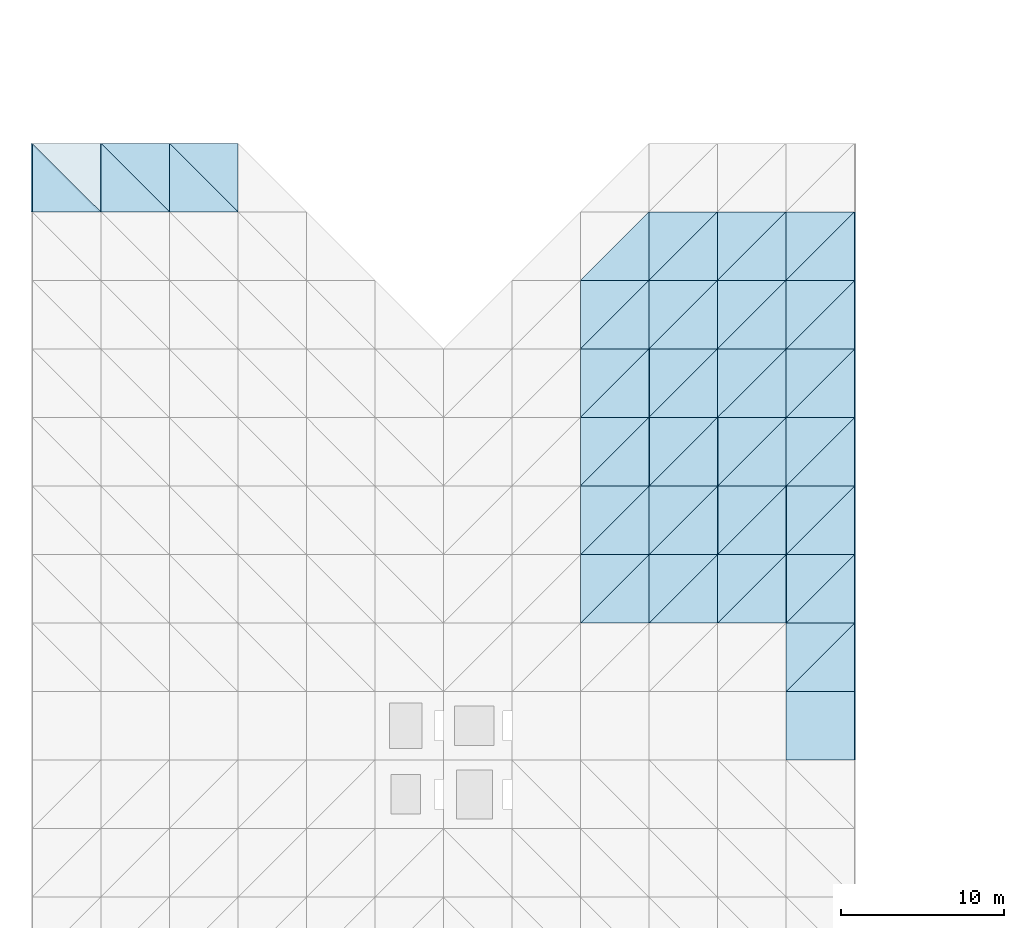
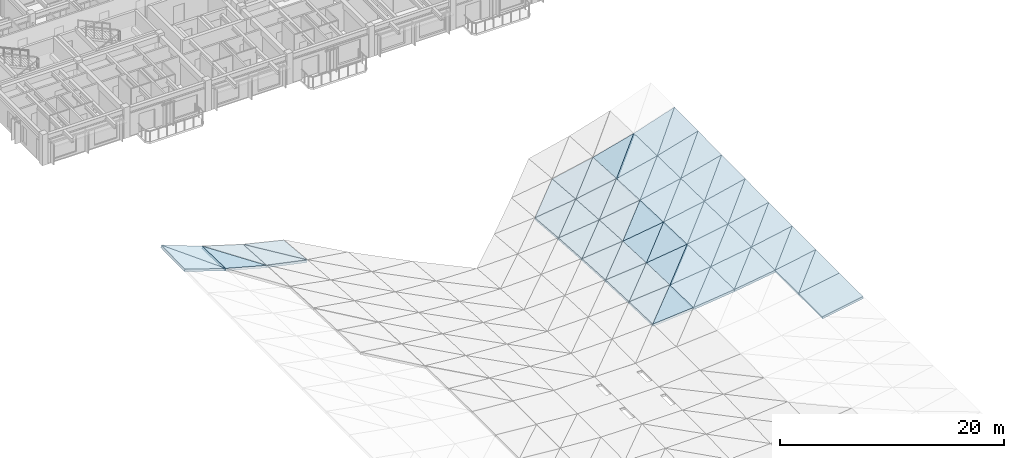
# One storey, part 10 of 31: 56 slabs.
"""IFC4 building model written with IfcOpenShell, lengths in metres."""

from ifc_helpers import new_model, si_unit, direction, frame, origin, place, context, subcontext, project, spatial, polyline, outline, extrude, material, layer, layer_set, type_object, element, save


model = new_model("IFC4")

# Units and contexts
model_context = context("Model", 3, precision=1e-05, world=origin(), true_north=direction((0.0, 1.0)))
body_context = subcontext(model_context, "Body", "Model", "MODEL_VIEW")
ifc_project = project(units=[si_unit("LENGTHUNIT", "METRE"), si_unit("AREAUNIT", "SQUARE_METRE"), si_unit("VOLUMEUNIT", "CUBIC_METRE"), si_unit("PLANEANGLEUNIT", "RADIAN"), si_unit("MASSUNIT", "GRAM", prefix="KILO")], contexts=[model_context])

# Site, building, storey
site_placement = place(None, origin())
site = spatial("IfcSite", under=ifc_project, at=site_placement, CompositionType="ELEMENT")
building_placement = place(site_placement, origin())
building = spatial("IfcBuilding", under=site, at=building_placement, Name="Cumbredor Promenade Congress Hotel", CompositionType="ELEMENT")
storey_placement = place(building_placement, frame((0.0, 0.0, 31.919921875)))
storey = spatial("IfcBuildingStorey", under=building, at=storey_placement, Name="L09", CompositionType="ELEMENT", Elevation=31.919921875)

# Slabs
ifc_material = material(Name="Concrete C40/50", Category="concrete")
ifc_layer = layer(ifc_material, 0.25, Name="Concrete C40/50", Category="concrete")
ifc_layer_set = layer_set([ifc_layer], Name="Concrete C40/50")
slab_type = type_object("IfcSlabType", Name="Catenary Space Frame Roof Deck 250mm", PredefinedType="ROOF", material=ifc_layer_set)
slab_1_placement = place(storey_placement, frame((8.39990234375, 67.199951171875, 3.766845703125), z_axis=(0.314517383618, -0.015558508666, 0.949124200624), x_axis=(0.949239097399, 0.0, -0.3145554577)))
element("IfcSlab", 1, at=slab_1_placement, inside=storey, type_object=slab_type, Name="Plenary Congress Hall Sweeping Roof Deck Facet 4.17.1", PredefinedType="ROOF", context=body_context, shape_type="SweptSolid", body=[
    extrude(outline(polyline([(0.0, 0.0), (4.424802269531883, 0.0), (-0.021656406023297235, 4.200459599375223), (0.0, 0.0)])), origin(), (0.0, 0.0, -1.0), 0.25),
])
slab_2_placement = place(storey_placement, frame((12.60009765625, 67.199951171875, 2.375), z_axis=(0.351080162861, 0.025572178575, 0.935996144719), x_axis=(0.0, 0.999626995305, -0.027310625344)))
element("IfcSlab", 2, at=slab_2_placement, inside=storey, type_object=slab_type, Name="Plenary Congress Hall Sweeping Roof Deck Facet 4.17.2", PredefinedType="ROOF", context=body_context, shape_type="SweptSolid", body=[
    extrude(outline(polyline([(0.0, 0.0), (4.201518357946931, 0.0), (4.158492121290412, 4.485732813774016), (0.0, 0.0)])), origin(), (0.0, 0.0, -1.0), 0.25),
])
slab_3_placement = place(storey_placement, frame((12.60009765625, 67.199951171875, 2.375), z_axis=(0.261630515528, 0.026359344544, 0.964808094027), x_axis=(0.965143450384, 0.0, -0.26172145533)))
element("IfcSlab", 3, at=slab_3_placement, inside=storey, type_object=slab_type, Name="Plenary Congress Hall Sweeping Roof Deck Facet 5.17.1", PredefinedType="ROOF", context=body_context, shape_type="SweptSolid", body=[
    extrude(outline(polyline([(0.0, 0.0), (4.351634122577553, -3.469446951953614e-18), (0.03003151464969093, 4.201411027297009), (0.0, 0.0)])), origin(), (0.0, 0.0, -1.0), 0.25),
])
slab_4_placement = place(storey_placement, frame((16.800048828125, 67.199951171875, 1.236083984375), z_axis=(0.292832493061, 0.060130786603, 0.954271145697), x_axis=(0.0, 0.998020619679, -0.062887540065)))
element("IfcSlab", 4, at=slab_4_placement, inside=storey, type_object=slab_type, Name="Plenary Congress Hall Sweeping Roof Deck Facet 5.17.2", PredefinedType="ROOF", context=body_context, shape_type="SweptSolid", body=[
    extrude(outline(polyline([(0.0, 0.0), (4.208280960392899, -2.7755575615628914e-17), (4.12723034418165, 4.392501953011293), (0.0, 0.0)])), origin(), (0.0, 0.0, -1.0), 0.25),
])
slab_5_placement = place(storey_placement, frame((16.800048828125, 67.199951171875, 1.236083984375), z_axis=(0.205963343256, 0.061539212814, 0.976622765719), x_axis=(0.978477306539, 0.0, -0.206354453765)))
element("IfcSlab", 5, at=slab_5_placement, inside=storey, type_object=slab_type, Name="Plenary Congress Hall Sweeping Roof Deck Facet 6.17.1", PredefinedType="ROOF", context=body_context, shape_type="SweptSolid", body=[
    extrude(outline(polyline([(0.0, 0.0), (4.292333755528742, 0.0), (0.05461138376012229, 4.2079265961241745), (0.0, 0.0)])), origin(), (0.0, 0.0, -1.0), 0.25),
])
slab_6_placement = place(storey_placement, frame((21.0, 67.199951171875, 0.350341796875), z_axis=(0.231257969912, 0.087974902339, 0.968906686895), x_axis=(0.0, 0.995903165323, -0.090426131735)))
element("IfcSlab", 6, at=slab_6_placement, inside=storey, type_object=slab_type, Name="Plenary Congress Hall Sweeping Roof Deck Facet 6.17.2", PredefinedType="ROOF", context=body_context, shape_type="SweptSolid", body=[
    extrude(outline(polyline([(0.0, 0.0), (4.217228459671299, 1.3877787807814457e-17), (4.126581561013314, 4.316973680584855), (0.0, 0.0)])), origin(), (0.0, 0.0, -1.0), 0.25),
])
slab_7_placement = place(storey_placement, frame((42.0, 42.0, 1.286376953125), z_axis=(-0.083335710744, 0.022643685129, 0.996264233443), x_axis=(0.99651974221, 0.0, 0.083357083592)))
element("IfcSlab", 7, at=slab_7_placement, inside=storey, type_object=slab_type, Name="Plenary Congress Hall Sweeping Roof Deck Facet 12.11.1", PredefinedType="ROOF", context=body_context, shape_type="SweptSolid", body=[
    extrude(outline(polyline([(0.0, 0.0), (4.214619132942873, 0.0), (4.206661950402676, 4.201028320194727), (0.0, 0.0)])), origin(), (0.0, 0.0, -1.0), 0.25),
])
slab_8_placement = place(storey_placement, frame((42.0, 42.0, 1.286376953125), z_axis=(-0.088210108531, 0.027551188754, 0.995720798593), x_axis=(0.706451639396, 0.706451639396, 0.043036756268)))
element("IfcSlab", 8, at=slab_8_placement, inside=storey, type_object=slab_type, Name="Plenary Congress Hall Sweeping Roof Deck Facet 12.11.2", PredefinedType="ROOF", context=body_context, shape_type="SweptSolid", body=[
    extrude(outline(polyline([(0.0, 0.0), (5.945136139067277, 2.7755575615628914e-17), (2.9620610489602774, 2.979813613359257), (0.0, 0.0)])), origin(), (0.0, 0.0, -1.0), 0.25),
])
slab_9_placement = place(storey_placement, frame((42.0, 46.199951171875, 1.170166015625), z_axis=(-0.088192852342, 0.033911424851, 0.995526009736), x_axis=(0.996098923772, 0.0, 0.088243606338)))
element("IfcSlab", 9, at=slab_9_placement, inside=storey, type_object=slab_type, Name="Plenary Congress Hall Sweeping Roof Deck Facet 12.12.1", PredefinedType="ROOF", context=body_context, shape_type="SweptSolid", body=[
    extrude(outline(polyline([(0.0, 0.0), (4.216399668387478, 0.0), (4.20377497275419, 4.202368196599584), (0.0, 0.0)])), origin(), (0.0, 0.0, -1.0), 0.25),
])
slab_10_placement = place(storey_placement, frame((42.0, 46.199951171875, 1.170166015625), z_axis=(-0.095508545961, 0.041279117322, 0.994572346349), x_axis=(0.706581806393, 0.706581806393, 0.038526636889)))
element("IfcSlab", 10, at=slab_10_placement, inside=storey, type_object=slab_type, Name="Plenary Congress Hall Sweeping Roof Deck Facet 12.12.2", PredefinedType="ROOF", context=body_context, shape_type="SweptSolid", body=[
    extrude(outline(polyline([(0.0, 0.0), (5.944040921910458, -3.191891195797325e-16), (2.9608932608967993, 2.9838041412260994), (0.0, 0.0)])), origin(), (0.0, 0.0, -1.0), 0.25),
])
slab_11_placement = place(storey_placement, frame((42.0, 50.39990234375, 0.995849609375), z_axis=(-0.095492573343, 0.045142472615, 0.994406016475), x_axis=(0.995420789287, 0.0, 0.095590021735)))
element("IfcSlab", 11, at=slab_11_placement, inside=storey, type_object=slab_type, Name="Plenary Congress Hall Sweeping Roof Deck Facet 12.13.1", PredefinedType="ROOF", context=body_context, shape_type="SweptSolid", body=[
    extrude(outline(polyline([(0.0, 0.0), (4.219272107912606, 0.0), (4.201045592537898, 4.204481533556321), (0.0, 0.0)])), origin(), (0.0, 0.0, -1.0), 0.25),
])
slab_12_placement = place(storey_placement, frame((42.0, 50.39990234375, 0.995849609375), z_axis=(-0.105220665991, 0.054944734798, 0.992929850275), x_axis=(0.706633542814, 0.706674618995, 0.035777353705)))
element("IfcSlab", 12, at=slab_12_placement, inside=storey, type_object=slab_type, Name="Plenary Congress Hall Sweeping Roof Deck Facet 12.13.2", PredefinedType="ROOF", context=body_context, shape_type="SweptSolid", body=[
    extrude(outline(polyline([(0.0, 0.0), (5.943605726879787, 4.753142324176451e-16), (2.9598559825353283, 2.9891325085675473), (0.0, 0.0)])), origin(), (0.0, 0.0, -1.0), 0.25),
])
slab_13_placement = place(storey_placement, frame((42.0, 54.60009765625, 0.763427734375), z_axis=(-0.105212196304, 0.056386349857, 0.992849924862), x_axis=(0.994432042203, 0.0, 0.105379853103)))
element("IfcSlab", 13, at=slab_13_placement, inside=storey, type_object=slab_type, Name="Plenary Congress Hall Sweeping Roof Deck Facet 12.14.1", PredefinedType="ROOF", context=body_context, shape_type="SweptSolid", body=[
    extrude(outline(polyline([(0.0, 0.0), (4.223467259332188, 3.469446951953614e-18), (4.198331488706719, 4.2066438405386855), (0.0, 0.0)])), origin(), (0.0, 0.0, -1.0), 0.25),
])
slab_14_placement = place(storey_placement, frame((42.0, 54.60009765625, 0.763427734375), z_axis=(-0.117254845515, 0.068533038391, 0.990734335658), x_axis=(0.706679647611, 0.706679647611, 0.034752716496)))
element("IfcSlab", 14, at=slab_14_placement, inside=storey, type_object=slab_type, Name="Plenary Congress Hall Sweeping Roof Deck Facet 12.14.2", PredefinedType="ROOF", context=body_context, shape_type="SweptSolid", body=[
    extrude(outline(polyline([(0.0, 0.0), (5.94321795748805, 3.0184188481996443e-16), (2.9579233997137746, 2.995777886463936), (0.0, 0.0)])), origin(), (0.0, 0.0, -1.0), 0.25),
])
slab_15_placement = place(storey_placement, frame((42.0, 58.800048828125, 0.472900390625), z_axis=(-0.117263569299, 0.067443830869, 0.990808046492), x_axis=(0.993069192908, 0.0, 0.117531179257)))
element("IfcSlab", 15, at=slab_15_placement, inside=storey, type_object=slab_type, Name="Plenary Congress Hall Sweeping Roof Deck Facet 12.15.1", PredefinedType="ROOF", context=body_context, shape_type="SweptSolid", body=[
    extrude(outline(polyline([(0.0, 0.0), (4.229263380507655, 6.938893903907228e-18), (4.195662547765935, 4.209535979520748), (0.0, 0.0)])), origin(), (0.0, 0.0, -1.0), 0.25),
])
slab_16_placement = place(storey_placement, frame((42.0, 58.800048828125, 0.472900390625), z_axis=(-0.131677216487, 0.082003953399, 0.987894965209), x_axis=(0.706660264874, 0.706660264874, 0.035532240256)))
element("IfcSlab", 16, at=slab_16_placement, inside=storey, type_object=slab_type, Name="Plenary Congress Hall Sweeping Roof Deck Facet 12.15.2", PredefinedType="ROOF", context=body_context, shape_type="SweptSolid", body=[
    extrude(outline(polyline([(0.0, 0.0), (5.943380971938906, 0.0), (2.9555509027186253, 3.0043058342194406), (0.0, 0.0)])), origin(), (0.0, 0.0, -1.0), 0.25),
])
slab_17_placement = place(storey_placement, frame((42.0, 63.0, 0.124267578125), z_axis=(-0.131714249465, 0.078523061063, 0.988172801371), x_axis=(0.99123343534, 0.0, 0.132122203525)))
element("IfcSlab", 17, at=slab_17_placement, inside=storey, type_object=slab_type, Name="Plenary Congress Hall Sweeping Roof Deck Facet 12.16.1", PredefinedType="ROOF", context=body_context, shape_type="SweptSolid", body=[
    extrude(outline(polyline([(0.0, 0.0), (4.237095947469426, -6.938893903907228e-18), (4.19300145229897, 4.212959537625602), (0.0, 0.0)])), origin(), (0.0, 0.0, -1.0), 0.25),
])
slab_18_placement = place(storey_placement, frame((46.199951171875, 42.0, 1.6376953125), z_axis=(-0.116264124238, 0.015702006848, 0.993094205197), x_axis=(0.993216653027, 0.0, 0.116278459524)))
element("IfcSlab", 18, at=slab_18_placement, inside=storey, type_object=slab_type, Name="Plenary Congress Hall Sweeping Roof Deck Facet 13.11.1", PredefinedType="ROOF", context=body_context, shape_type="SweptSolid", body=[
    extrude(outline(polyline([(0.0, 0.0), (4.228635473513123, -8.673617379884035e-19), (4.220913857060335, 4.200469022955961), (0.0, 0.0)])), origin(), (0.0, 0.0, -1.0), 0.25),
])
slab_19_placement = place(storey_placement, frame((46.199951171875, 42.0, 1.6376953125), z_axis=(-0.12301648116, 0.022550137897, 0.992148394467), x_axis=(0.705301075795, 0.705301075795, 0.071419779924)))
element("IfcSlab", 19, at=slab_19_placement, inside=storey, type_object=slab_type, Name="Plenary Congress Hall Sweeping Roof Deck Facet 13.11.2", PredefinedType="ROOF", context=body_context, shape_type="SweptSolid", body=[
    extrude(outline(polyline([(0.0, 0.0), (5.954834489852473, -1.8735013540549517e-16), (2.9554124201546847, 2.985672401759363), (0.0, 0.0)])), origin(), (0.0, 0.0, -1.0), 0.25),
])
slab_20_placement = place(storey_placement, frame((46.199951171875, 46.199951171875, 1.542236328125), z_axis=(-0.123014035395, 0.023414767168, 0.992128668961), x_axis=(0.992400748769, 0.0, 0.123047770571)))
element("IfcSlab", 20, at=slab_20_placement, inside=storey, type_object=slab_type, Name="Plenary Congress Hall Sweeping Roof Deck Facet 13.12.1", PredefinedType="ROOF", context=body_context, shape_type="SweptSolid", body=[
    extrude(outline(polyline([(0.0, 0.0), (4.232112054615011, 0.0), (4.219915425012562, 4.201102959888836), (0.0, 0.0)])), origin(), (0.0, 0.0, -1.0), 0.25),
])
slab_21_placement = place(storey_placement, frame((46.199951171875, 46.199951171875, 1.542236328125), z_axis=(-0.133178350958, 0.033740818704, 0.990517583887), x_axis=(0.705331922538, 0.705331922538, 0.070807895729)))
element("IfcSlab", 21, at=slab_21_placement, inside=storey, type_object=slab_type, Name="Plenary Congress Hall Sweeping Roof Deck Facet 13.12.2", PredefinedType="ROOF", context=body_context, shape_type="SweptSolid", body=[
    extrude(outline(polyline([(0.0, 0.0), (5.954574063175776, -8.326672684688674e-17), (2.9522294034484955, 2.990718875478873), (0.0, 0.0)])), origin(), (0.0, 0.0, -1.0), 0.25),
])
slab_22_placement = place(storey_placement, frame((46.199951171875, 50.39990234375, 1.399169921875), z_axis=(-0.133189316593, 0.031208133833, 0.99059914109), x_axis=(0.991081889584, 0.0, 0.133254223717)))
element("IfcSlab", 22, at=slab_22_placement, inside=storey, type_object=slab_type, Name="Plenary Congress Hall Sweeping Roof Deck Facet 13.13.1", PredefinedType="ROOF", context=body_context, shape_type="SweptSolid", body=[
    extrude(outline(polyline([(0.0, 0.0), (4.23774383934878, 0.0), (4.220111078300256, 4.202242192895666), (0.0, 0.0)])), origin(), (0.0, 0.0, -1.0), 0.25),
])
slab_23_placement = place(storey_placement, frame((46.199951171875, 50.39990234375, 1.399169921875), z_axis=(-0.146592652311, 0.044859798853, 0.988179231079), x_axis=(0.705220304782, 0.705261298813, 0.072600427819)))
element("IfcSlab", 23, at=slab_23_placement, inside=storey, type_object=slab_type, Name="Plenary Congress Hall Sweeping Roof Deck Facet 13.13.2", PredefinedType="ROOF", context=body_context, shape_type="SweptSolid", body=[
    extrude(outline(polyline([(0.0, 0.0), (5.955516515042597, 1.1102230246251565e-16), (2.9483921998654137, 2.997495722707807), (0.0, 0.0)])), origin(), (0.0, 0.0, -1.0), 0.25),
])
slab_24_placement = place(storey_placement, frame((46.199951171875, 54.60009765625, 1.20849609375), z_axis=(-0.146629321046, 0.038898138851, 0.988426414562), x_axis=(0.989175041018, 0.0, 0.14674037695)))
element("IfcSlab", 24, at=slab_24_placement, inside=storey, type_object=slab_type, Name="Plenary Congress Hall Sweeping Roof Deck Facet 13.14.1", PredefinedType="ROOF", context=body_context, shape_type="SweptSolid", body=[
    extrude(outline(polyline([(0.0, 0.0), (4.245913006007242, 3.469446951953614e-18), (4.221659286477114, 4.203132182130179), (0.0, 0.0)])), origin(), (0.0, 0.0, -1.0), 0.25),
])
slab_25_placement = place(storey_placement, frame((46.199951171875, 54.60009765625, 1.20849609375), z_axis=(-0.163296574625, 0.055939955613, 0.984989822324), x_axis=(0.705016090711, 0.705016090711, 0.076841549153)))
element("IfcSlab", 25, at=slab_25_placement, inside=storey, type_object=slab_type, Name="Plenary Congress Hall Sweeping Roof Deck Facet 13.14.2", PredefinedType="ROOF", context=body_context, shape_type="SweptSolid", body=[
    extrude(outline(polyline([(0.0, 0.0), (5.957241582440388, -4.718447854656915e-16), (2.942704495845698, 3.006156093458307), (0.0, 0.0)])), origin(), (0.0, 0.0, -1.0), 0.25),
])
slab_26_placement = place(storey_placement, frame((46.199951171875, 58.800048828125, 0.969970703125), z_axis=(-0.163375209042, 0.046572245775, 0.985464137853), x_axis=(0.98653460261, 0.0, 0.163552676082)))
element("IfcSlab", 26, at=slab_26_placement, inside=storey, type_object=slab_type, Name="Plenary Congress Hall Sweeping Roof Deck Facet 13.15.1", PredefinedType="ROOF", context=body_context, shape_type="SweptSolid", body=[
    extrude(outline(polyline([(0.0, 0.0), (4.257277099824642, -6.938893903907228e-18), (4.2248141296940585, 4.204513387320467), (0.0, 0.0)])), origin(), (0.0, 0.0, -1.0), 0.25),
])
slab_27_placement = place(storey_placement, frame((46.199951171875, 58.800048828125, 0.969970703125), z_axis=(-0.183020093145, 0.066765273855, 0.980839458684), x_axis=(0.704636362905, 0.704636362905, 0.083517615763)))
element("IfcSlab", 27, at=slab_27_placement, inside=storey, type_object=slab_type, Name="Plenary Congress Hall Sweeping Roof Deck Facet 13.15.2", PredefinedType="ROOF", context=body_context, shape_type="SweptSolid", body=[
    extrude(outline(polyline([(0.0, 0.0), (5.960451933756333, -5.551115123125783e-16), (2.9355615778820705, 3.017250470428859), (0.0, 0.0)])), origin(), (0.0, 0.0, -1.0), 0.25),
])
slab_28_placement = place(storey_placement, frame((46.199951171875, 63.0, 0.68408203125), z_axis=(-0.183160259499, 0.054149248058, 0.981590636811), x_axis=(0.983032890363, 0.0, 0.183429377322)))
element("IfcSlab", 28, at=slab_28_placement, inside=storey, type_object=slab_type, Name="Plenary Congress Hall Sweeping Roof Deck Facet 13.16.1", PredefinedType="ROOF", context=body_context, shape_type="SweptSolid", body=[
    extrude(outline(polyline([(0.0, 0.0), (4.272442166532426, 0.0), (4.229943514413703, 4.206122170526154), (0.0, 0.0)])), origin(), (0.0, 0.0, -1.0), 0.25),
])
slab_29_placement = place(storey_placement, frame((46.199951171875, 63.0, 0.68408203125), z_axis=(-0.205733512795, 0.077518663724, 0.975532971502), x_axis=(0.704072781143, 0.704072781143, 0.09253668303)))
element("IfcSlab", 29, at=slab_29_placement, inside=storey, type_object=slab_type, Name="Plenary Congress Hall Sweeping Roof Deck Facet 13.16.2", PredefinedType="ROOF", context=body_context, shape_type="SweptSolid", body=[
    extrude(outline(polyline([(0.0, 0.0), (5.965223034264703, 2.498001805406602e-16), (2.9261880879655005, 3.0312366558920596), (0.0, 0.0)])), origin(), (0.0, 0.0, -1.0), 0.25),
])
slab_30_placement = place(storey_placement, frame((50.39990234375, 42.0, 2.12939453125), z_axis=(-0.148809268192, 0.006725259348, 0.988843047499), x_axis=(0.988865410505, 0.0, 0.148812633562)))
element("IfcSlab", 30, at=slab_30_placement, inside=storey, type_object=slab_type, Name="Plenary Congress Hall Sweeping Roof Deck Facet 14.11.1", PredefinedType="ROOF", context=body_context, shape_type="SweptSolid", body=[
    extrude(outline(polyline([(0.0, 0.0), (4.247489362942476, 8.673617379884035e-19), (4.243238611446694, 4.200046155130708), (0.0, 0.0)])), origin(), (0.0, 0.0, -1.0), 0.25),
])
slab_31_placement = place(storey_placement, frame((50.39990234375, 42.0, 2.12939453125), z_axis=(-0.157487725214, 0.015611935615, 0.987397530822), x_axis=(0.703505284812, 0.703464392852, 0.101084925834)))
element("IfcSlab", 31, at=slab_31_placement, inside=storey, type_object=slab_type, Name="Plenary Congress Hall Sweeping Roof Deck Facet 14.11.2", PredefinedType="ROOF", context=body_context, shape_type="SweptSolid", body=[
    extrude(outline(polyline([(0.0, 0.0), (5.970382032910482, 9.71445146547012e-17), (2.9478034302742935, 2.992399467423485), (0.0, 0.0)])), origin(), (0.0, 0.0, -1.0), 0.25),
])
slab_32_placement = place(storey_placement, frame((50.39990234375, 46.199951171875, 2.06298828125), z_axis=(-0.157498883251, 0.010102556409, 0.987467488138), x_axis=(0.987517883274, 0.0, 0.157506921164)))
element("IfcSlab", 32, at=slab_32_placement, inside=storey, type_object=slab_type, Name="Plenary Congress Hall Sweeping Roof Deck Facet 14.12.1", PredefinedType="ROOF", context=body_context, shape_type="SweptSolid", body=[
    extrude(outline(polyline([(0.0, 0.0), (4.2532853162879265, 0.0), (4.246517440769167, 4.200165515247193), (0.0, 0.0)])), origin(), (0.0, 0.0, -1.0), 0.25),
])
slab_33_placement = place(storey_placement, frame((50.39990234375, 46.199951171875, 2.06298828125), z_axis=(-0.170294332802, 0.02324933361, 0.985118931247), x_axis=(0.703220870419, 0.703179994991, 0.104968100165)))
element("IfcSlab", 33, at=slab_33_placement, inside=storey, type_object=slab_type, Name="Plenary Congress Hall Sweeping Roof Deck Facet 14.12.2", PredefinedType="ROOF", context=body_context, shape_type="SweptSolid", body=[
    extrude(outline(polyline([(0.0, 0.0), (5.972796726009385, 1.942890293094024e-16), (2.942917091102522, 2.9981083756690743), (0.0, 0.0)])), origin(), (0.0, 0.0, -1.0), 0.25),
])
slab_34_placement = place(storey_placement, frame((50.39990234375, 50.39990234375, 1.9638671875), z_axis=(-0.170324947913, 0.013458763537, 0.985296033587), x_axis=(0.985385283144, 0.0, 0.170340376196)))
element("IfcSlab", 34, at=slab_34_placement, inside=storey, type_object=slab_type, Name="Plenary Congress Hall Sweeping Roof Deck Facet 14.13.1", PredefinedType="ROOF", context=body_context, shape_type="SweptSolid", body=[
    extrude(outline(polyline([(0.0, 0.0), (4.2624904028373365, 0.0), (4.252717456449154, 4.200575772340453), (0.0, 0.0)])), origin(), (0.0, 0.0, -1.0), 0.25),
])
slab_35_placement = place(storey_placement, frame((50.39990234375, 50.39990234375, 1.9638671875), z_axis=(-0.187245478524, 0.030931743176, 0.98182603247), x_axis=(0.702668181441, 0.702668181441, 0.11186980638)))
element("IfcSlab", 35, at=slab_35_placement, inside=storey, type_object=slab_type, Name="Plenary Congress Hall Sweeping Roof Deck Facet 14.13.2", PredefinedType="ROOF", context=body_context, shape_type="SweptSolid", body=[
    extrude(outline(polyline([(0.0, 0.0), (5.977494674490388, 6.938893903907228e-16), (2.936540517202201, 3.0059740772076866), (0.0, 0.0)])), origin(), (0.0, 0.0, -1.0), 0.25),
])
slab_36_placement = place(storey_placement, frame((50.39990234375, 54.60009765625, 1.83154296875), z_axis=(-0.187308905961, 0.016728040133, 0.982158615714), x_axis=(0.98229606197, 0.0, 0.187335118538)))
element("IfcSlab", 36, at=slab_36_placement, inside=storey, type_object=slab_type, Name="Plenary Congress Hall Sweeping Roof Deck Facet 14.14.1", PredefinedType="ROOF", context=body_context, shape_type="SweptSolid", body=[
    extrude(outline(polyline([(0.0, 0.0), (4.275895501479533, 0.0), (4.262494820392721, 4.200538925784395), (0.0, 0.0)])), origin(), (0.0, 0.0, -1.0), 0.25),
])
slab_37_placement = place(storey_placement, frame((50.39990234375, 54.60009765625, 1.83154296875), z_axis=(-0.208202268908, 0.038461426892, 0.977329286302), x_axis=(0.701853990868, 0.701813194891, 0.121898379721)))
element("IfcSlab", 37, at=slab_37_placement, inside=storey, type_object=slab_type, Name="Plenary Congress Hall Sweeping Roof Deck Facet 14.14.2", PredefinedType="ROOF", context=body_context, shape_type="SweptSolid", body=[
    extrude(outline(polyline([(0.0, 0.0), (5.984428908501186, -8.326672684688674e-17), (2.9274333956650183, 3.016130318357387), (0.0, 0.0)])), origin(), (0.0, 0.0, -1.0), 0.25),
])
slab_38_placement = place(storey_placement, frame((50.39990234375, 58.800048828125, 1.666259765625), z_axis=(-0.20831472407, 0.020008470754, 0.977857165865), x_axis=(0.978052961788, 0.0, 0.208356434838)))
element("IfcSlab", 38, at=slab_38_placement, inside=storey, type_object=slab_type, Name="Plenary Congress Hall Sweeping Roof Deck Facet 14.15.1", PredefinedType="ROOF", context=body_context, shape_type="SweptSolid", body=[
    extrude(outline(polyline([(0.0, 0.0), (4.294445675848641, 0.0), (4.276540044729757, 4.200792126303642), (0.0, 0.0)])), origin(), (0.0, 0.0, -1.0), 0.25),
])
slab_39_placement = place(storey_placement, frame((50.39990234375, 58.800048828125, 1.666259765625), z_axis=(-0.232968872392, 0.04590758681, 0.971400019544), x_axis=(0.700661003348, 0.700620276714, 0.134927336904)))
element("IfcSlab", 39, at=slab_39_placement, inside=storey, type_object=slab_type, Name="Plenary Congress Hall Sweeping Roof Deck Facet 14.15.2", PredefinedType="ROOF", context=body_context, shape_type="SweptSolid", body=[
    extrude(outline(polyline([(0.0, 0.0), (5.994618356708946, 3.3306690738754696e-16), (2.9157897205605736, 3.029382275986315), (0.0, 0.0)])), origin(), (0.0, 0.0, -1.0), 0.25),
])
slab_40_placement = place(storey_placement, frame((50.39990234375, 63.0, 1.4677734375), z_axis=(-0.233152145814, 0.023169640453, 0.972164206636), x_axis=(0.972425256289, 0.0, 0.233214752816)))
element("IfcSlab", 40, at=slab_40_placement, inside=storey, type_object=slab_type, Name="Plenary Congress Hall Sweeping Roof Deck Facet 14.16.1", PredefinedType="ROOF", context=body_context, shape_type="SweptSolid", body=[
    extrude(outline(polyline([(0.0, 0.0), (4.319298871903549, 3.469446951953614e-18), (4.29595462174373, 4.201078960565417), (0.0, 0.0)])), origin(), (0.0, 0.0, -1.0), 0.25),
])
slab_41_placement = place(storey_placement, frame((50.39990234375, 63.0, 1.4677734375), z_axis=(-0.261337136882, 0.053166850913, 0.963782229993), x_axis=(0.699020766874, 0.698980135581, 0.150985885242)))
element("IfcSlab", 41, at=slab_41_placement, inside=storey, type_object=slab_type, Name="Plenary Congress Hall Sweeping Roof Deck Facet 14.16.2", PredefinedType="ROOF", context=body_context, shape_type="SweptSolid", body=[
    extrude(outline(polyline([(0.0, 0.0), (6.0086845935684385, -8.326672684688674e-17), (2.9007006023687976, 3.046178895639723), (0.0, 0.0)])), origin(), (0.0, 0.0, -1.0), 0.25),
])
slab_42_placement = place(storey_placement, frame((54.60009765625, 33.60009765625, 2.77587890625), z_axis=(-0.175737162452, 0.0, 0.984437123301), x_axis=(0.984437123301, 0.0, 0.175737162452)))
element("IfcSlab", 42, at=slab_42_placement, inside=storey, type_object=slab_type, Name="Plenary Congress Hall Sweeping Roof Deck Facet 15.9", PredefinedType="ROOF", context=body_context, shape_type="SweptSolid", body=[
    extrude(outline(polyline([(0.0, 0.0), (4.266347816903977, 0.0), (4.266347816903977, 4.199951171874999), (0.0, 4.199951171874999), (0.0, 0.0)])), origin(), (0.0, 0.0, -1.0), 0.25),
])
slab_43_placement = place(storey_placement, frame((54.60009765625, 37.800048828125, 2.77587890625), z_axis=(-0.175736809971, -0.002002861722, 0.984435148786), x_axis=(0.984437123301, 0.0, 0.175737162452)))
element("IfcSlab", 43, at=slab_43_placement, inside=storey, type_object=slab_type, Name="Plenary Congress Hall Sweeping Roof Deck Facet 15.10.1", PredefinedType="ROOF", context=body_context, shape_type="SweptSolid", body=[
    extrude(outline(polyline([(0.0, 0.0), (4.266347816903977, 0.0), (4.267849477227662, 4.199959595858073), (0.0, 0.0)])), origin(), (0.0, 0.0, -1.0), 0.25),
])
slab_44_placement = place(storey_placement, frame((54.60009765625, 37.800048828125, 2.77587890625), z_axis=(-0.180941676399, 0.003373004394, 0.983488043945), x_axis=(0.701413667967, 0.701413667967, 0.126640170476)))
element("IfcSlab", 44, at=slab_44_placement, inside=storey, type_object=slab_type, Name="Plenary Congress Hall Sweeping Roof Deck Facet 15.10.2", PredefinedType="ROOF", context=body_context, shape_type="SweptSolid", body=[
    extrude(outline(polyline([(0.0, 0.0), (5.987837653703775, 6.938893903907228e-17), (2.9440789941351047, 2.995362449887339), (0.0, 0.0)])), origin(), (0.0, 0.0, -1.0), 0.25),
])
slab_45_placement = place(storey_placement, frame((54.60009765625, 42.0, 2.761474609375), z_axis=(-0.180941215122, -0.004059028838, 0.983485536729), x_axis=(0.983493638643, 0.0, 0.180942705709)))
element("IfcSlab", 45, at=slab_45_placement, inside=storey, type_object=slab_type, Name="Plenary Congress Hall Sweeping Roof Deck Facet 15.11.1", PredefinedType="ROOF", context=body_context, shape_type="SweptSolid", body=[
    extrude(outline(polyline([(0.0, 0.0), (4.2704406077001416, 0.0), (4.273577065733663, 4.199985770902028), (0.0, 0.0)])), origin(), (0.0, 0.0, -1.0), 0.25),
])
slab_46_placement = place(storey_placement, frame((54.60009765625, 42.0, 2.761474609375), z_axis=(-0.191303667599, 0.006675374026, 0.981508199734), x_axis=(0.700933483909, 0.700933483909, 0.131850302501)))
element("IfcSlab", 46, at=slab_46_placement, inside=storey, type_object=slab_type, Name="Plenary Congress Hall Sweeping Roof Deck Facet 15.11.2", PredefinedType="ROOF", context=body_context, shape_type="SweptSolid", body=[
    extrude(outline(polyline([(0.0, 0.0), (5.991939703680624, -9.71445146547012e-17), (2.940120175365751, 2.9993497842905517), (0.0, 0.0)])), origin(), (0.0, 0.0, -1.0), 0.25),
])
slab_47_placement = place(storey_placement, frame((54.60009765625, 46.199951171875, 2.73291015625), z_axis=(-0.191304431387, -0.006047798905, 0.981512118448), x_axis=(0.981530068771, 0.0, 0.191307930046)))
element("IfcSlab", 47, at=slab_47_placement, inside=storey, type_object=slab_type, Name="Plenary Congress Hall Sweeping Roof Deck Facet 15.12.1", PredefinedType="ROOF", context=body_context, shape_type="SweptSolid", body=[
    extrude(outline(polyline([(0.0, 0.0), (4.2789837066677165, -8.673617379884035e-19), (4.28393454665427, 4.2000279824194395), (0.0, 0.0)])), origin(), (0.0, 0.0, -1.0), 0.25),
])
slab_48_placement = place(storey_placement, frame((54.60009765625, 46.199951171875, 2.73291015625), z_axis=(-0.20672524464, 0.010009255311, 0.978347835913), x_axis=(0.700066440013, 0.700066440013, 0.140762065686)))
element("IfcSlab", 48, at=slab_48_placement, inside=storey, type_object=slab_type, Name="Plenary Congress Hall Sweeping Roof Deck Facet 15.12.2", PredefinedType="ROOF", context=body_context, shape_type="SweptSolid", body=[
    extrude(outline(polyline([(0.0, 0.0), (5.9993608203811375, -5.551115123125783e-17), (2.934196495111109, 3.005316470471692), (0.0, 0.0)])), origin(), (0.0, 0.0, -1.0), 0.25),
])
slab_49_placement = place(storey_placement, frame((54.60009765625, 50.39990234375, 2.68994140625), z_axis=(-0.20672904855, -0.007961591337, 0.978365838298), x_axis=(0.978396847579, 0.0, 0.206735600823)))
element("IfcSlab", 49, at=slab_49_placement, inside=storey, type_object=slab_type, Name="Plenary Congress Hall Sweeping Roof Deck Facet 15.13.1", PredefinedType="ROOF", context=body_context, shape_type="SweptSolid", body=[
    extrude(outline(polyline([(0.0, 0.0), (4.292686737766512, -8.673617379884035e-19), (4.29975289599775, 4.200328437585854), (0.0, 0.0)])), origin(), (0.0, 0.0, -1.0), 0.25),
])
slab_50_placement = place(storey_placement, frame((54.60009765625, 50.39990234375, 2.68994140625), z_axis=(-0.226992981102, 0.013301807961, 0.973805549602), x_axis=(0.69872527049, 0.698765886968, 0.153327204331)))
element("IfcSlab", 50, at=slab_50_placement, inside=storey, type_object=slab_type, Name="Plenary Congress Hall Sweeping Roof Deck Facet 15.13.2", PredefinedType="ROOF", context=body_context, shape_type="SweptSolid", body=[
    extrude(outline(polyline([(0.0, 0.0), (6.01087630468582, 2.498001805406602e-16), (2.9261563540975155, 3.013725488665056), (0.0, 0.0)])), origin(), (0.0, 0.0, -1.0), 0.25),
])
slab_51_placement = place(storey_placement, frame((54.60009765625, 54.60009765625, 2.632568359375), z_axis=(-0.227001669746, -0.01001977445, 0.973842824101), x_axis=(0.973891712686, 0.0, 0.22701306562)))
element("IfcSlab", 51, at=slab_51_placement, inside=storey, type_object=slab_type, Name="Plenary Congress Hall Sweeping Roof Deck Facet 15.14.1", PredefinedType="ROOF", context=body_context, shape_type="SweptSolid", body=[
    extrude(outline(polyline([(0.0, 0.0), (4.312544317985259, 0.0), (4.322354208760363, 4.200162016648087), (0.0, 0.0)])), origin(), (0.0, 0.0, -1.0), 0.25),
])
slab_52_placement = place(storey_placement, frame((54.60009765625, 54.60009765625, 2.632568359375), z_axis=(-0.251980038765, 0.0164799445, 0.967592099747), x_axis=(0.696861977483, 0.696861977483, 0.169607690503)))
element("IfcSlab", 52, at=slab_52_placement, inside=storey, type_object=slab_type, Name="Plenary Congress Hall Sweeping Roof Deck Facet 15.14.2", PredefinedType="ROOF", context=body_context, shape_type="SweptSolid", body=[
    extrude(outline(polyline([(0.0, 0.0), (6.026948388038657, -2.220446049250313e-16), (2.914653697587442, 3.0248141543611182), (0.0, 0.0)])), origin(), (0.0, 0.0, -1.0), 0.25),
])
slab_53_placement = place(storey_placement, frame((54.60009765625, 58.800048828125, 2.56103515625), z_axis=(-0.251996344145, -0.011924827, 0.967654711681), x_axis=(0.967723519995, 0.0, 0.252014263185)))
element("IfcSlab", 53, at=slab_53_placement, inside=storey, type_object=slab_type, Name="Plenary Congress Hall Sweeping Roof Deck Facet 15.15.1", PredefinedType="ROOF", context=body_context, shape_type="SweptSolid", body=[
    extrude(outline(polyline([(0.0, 0.0), (4.340032132212178, 1.734723475976807e-18), (4.3530758391934485, 4.200249823403027), (0.0, 0.0)])), origin(), (0.0, 0.0, -1.0), 0.25),
])
slab_54_placement = place(storey_placement, frame((54.60009765625, 58.800048828125, 2.56103515625), z_axis=(-0.281305664554, 0.019631164537, 0.959417396376), x_axis=(0.694312396197, 0.694312396197, 0.189368933497)))
element("IfcSlab", 54, at=slab_54_placement, inside=storey, type_object=slab_type, Name="Plenary Congress Hall Sweeping Roof Deck Facet 15.15.2", PredefinedType="ROOF", context=body_context, shape_type="SweptSolid", body=[
    extrude(outline(polyline([(0.0, 0.0), (6.0490799168771865, 2.498001805406602e-16), (2.8998042693330817, 3.039425981924559), (0.0, 0.0)])), origin(), (0.0, 0.0, -1.0), 0.25),
])
slab_55_placement = place(storey_placement, frame((54.60009765625, 63.0, 2.47509765625), z_axis=(-0.281333183711, -0.013776624976, 0.959511252851), x_axis=(0.959602321223, 0.0, 0.281359885383)))
element("IfcSlab", 55, at=slab_55_placement, inside=storey, type_object=slab_type, Name="Plenary Congress Hall Sweeping Roof Deck Facet 15.16.1", PredefinedType="ROOF", context=body_context, shape_type="SweptSolid", body=[
    extrude(outline(polyline([(0.0, 0.0), (4.376762205536464, 3.469446951953614e-18), (4.393728975968517, 4.200349794315754), (0.0, 0.0)])), origin(), (0.0, 0.0, -1.0), 0.25),
])
slab_56_placement = place(storey_placement, frame((54.60009765625, 63.0, 2.47509765625), z_axis=(-0.314491464221, 0.022617347892, 0.948990818979), x_axis=(0.690955363193, 0.690955363193, 0.212512051773)))
element("IfcSlab", 56, at=slab_56_placement, inside=storey, type_object=slab_type, Name="Plenary Congress Hall Sweeping Roof Deck Facet 15.16.2", PredefinedType="ROOF", context=body_context, shape_type="SweptSolid", body=[
    extrude(outline(polyline([(0.0, 0.0), (6.078469602529386, -1.6653345369377348e-16), (2.8807068290495463, 3.0579629742670584), (0.0, 0.0)])), origin(), (0.0, 0.0, -1.0), 0.25),
])

save(model, "model.ifc")
